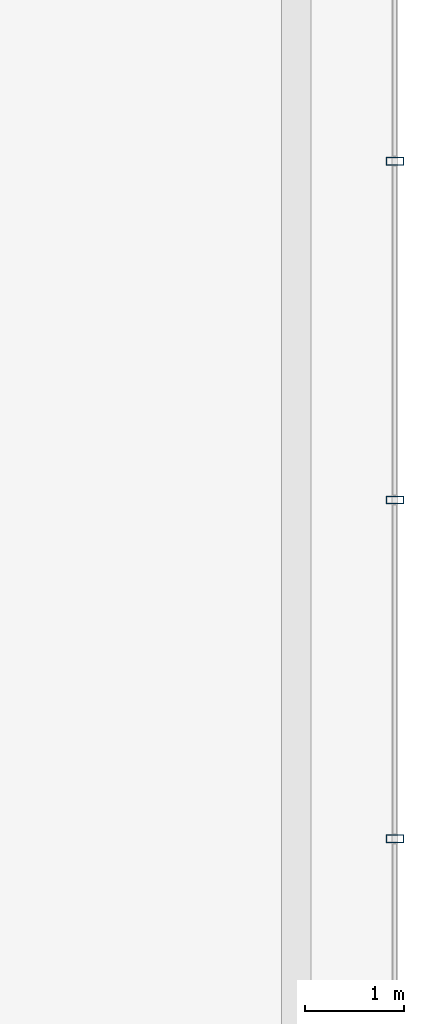
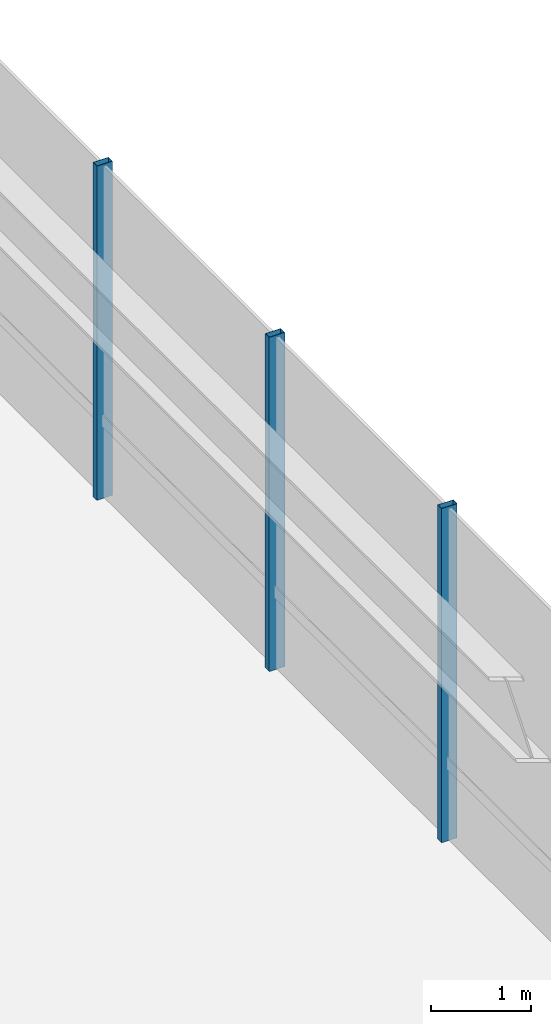
# One storey, part 25 of 33: 3 members, 1 element without a shape of its own.
"""IFC4 building model written with IfcOpenShell, lengths in metres."""

from ifc_helpers import new_model, si_unit, direction, frame, origin, origin_2d, place, context, subcontext, project, spatial, hollow_rectangle, extrude, material, layer, layer_set, material_profile, profile_set, type_object, element, aggregate, save


model = new_model("IFC4")

# Units and contexts
model_context = context("Model", 3, precision=1e-05, world=origin(), true_north=direction((0.0, 1.0)))
body_context = subcontext(model_context, "Body", "Model", "MODEL_VIEW")
ifc_project = project(units=[si_unit("LENGTHUNIT", "METRE"), si_unit("AREAUNIT", "SQUARE_METRE"), si_unit("VOLUMEUNIT", "CUBIC_METRE"), si_unit("PLANEANGLEUNIT", "RADIAN"), si_unit("MASSUNIT", "GRAM", prefix="KILO")], contexts=[model_context])

# Site, building, storey
site_placement = place(None, origin())
site = spatial("IfcSite", under=ifc_project, at=site_placement, CompositionType="ELEMENT")
building_placement = place(site_placement, origin())
building = spatial("IfcBuilding", under=site, at=building_placement, Name="Zarrinselat Tower", CompositionType="ELEMENT")
storey_placement = place(building_placement, frame((0.0, 0.0, 18.360107421875)))
storey = spatial("IfcBuildingStorey", under=building, at=storey_placement, Name="L04", CompositionType="ELEMENT", Elevation=18.360107421875)

# Curtain wall, members
ifc_material_1 = material(Name="Extruded Aluminium Alloy EN AW-6063 T6", Category="aluminium")
ifc_layer = layer(ifc_material_1, 0.2099609375)
ifc_layer_set = layer_set([ifc_layer], Name="Extruded Aluminium Alloy EN AW-6063 T6")
curtain_wall_type = type_object("IfcCurtainWallType", Name="CWS-POD", PredefinedType="NOTDEFINED", material=ifc_layer_set)
curtain_wall_placement = place(storey_placement, origin())
curtain_wall = element("IfcCurtainWall", 1, at=curtain_wall_placement, inside=storey, type_object=curtain_wall_type, Name="L04 Unitised Curtain Wall CW-L04-F3", PredefinedType="NOTDEFINED")
ifc_material_2 = material(Name="Extruded Aluminium Alloy EN AW-6063 T6", Category="aluminium")
ifc_material_profile = material_profile(ifc_material_2, hollow_rectangle(XDim=0.080078125, YDim=0.179931640625, WallThickness=0.0048828125, at=origin_2d()), Name="RHS 180x80x5")
ifc_profile_set = profile_set([ifc_material_profile], Name="Extruded Aluminium Alloy EN AW-6063 T6")
member_type = type_object("IfcMemberType", Name="MEM-CW-MUL", PredefinedType="MULLION", material=ifc_profile_set)
member_1_placement = place(storey_placement, frame((71.39990234375, 21.919921875, 0.0), z_axis=(0.0, 0.0, 1.0), x_axis=(0.0, 1.0, 0.0)))
member_1 = element("IfcMember", 2, at=member_1_placement, type_object=member_type, Name="CW-L04-F3 Mullion 3", PredefinedType="MULLION", context=body_context, shape_type="SweptSolid", body=[
    extrude(hollow_rectangle(XDim=0.080078125, YDim=0.179931640625, WallThickness=0.0048828125, at=origin_2d()), origin(), (0.0, 0.0, 1.0), 4.06982421875),
])
member_2_placement = place(storey_placement, frame((71.39990234375, 25.360107421875, 0.0), z_axis=(0.0, 0.0, 1.0), x_axis=(0.0, 1.0, 0.0)))
member_2 = element("IfcMember", 3, at=member_2_placement, type_object=member_type, Name="CW-L04-F3 Mullion 4", PredefinedType="MULLION", context=body_context, shape_type="SweptSolid", body=[
    extrude(hollow_rectangle(XDim=0.080078125, YDim=0.179931640625, WallThickness=0.0048828125, at=origin_2d()), origin(), (0.0, 0.0, 1.0), 4.06982421875),
])
member_3_placement = place(storey_placement, frame((71.39990234375, 28.800048828125, 0.0), z_axis=(0.0, 0.0, 1.0), x_axis=(0.0, 1.0, 0.0)))
member_3 = element("IfcMember", 4, at=member_3_placement, type_object=member_type, Name="CW-L04-F3 Mullion 5", PredefinedType="MULLION", context=body_context, shape_type="SweptSolid", body=[
    extrude(hollow_rectangle(XDim=0.080078125, YDim=0.179931640625, WallThickness=0.0048828125, at=origin_2d()), origin(), (0.0, 0.0, 1.0), 4.06982421875),
])
aggregate(curtain_wall, [member_1, member_2, member_3])

save(model, "model.ifc")
